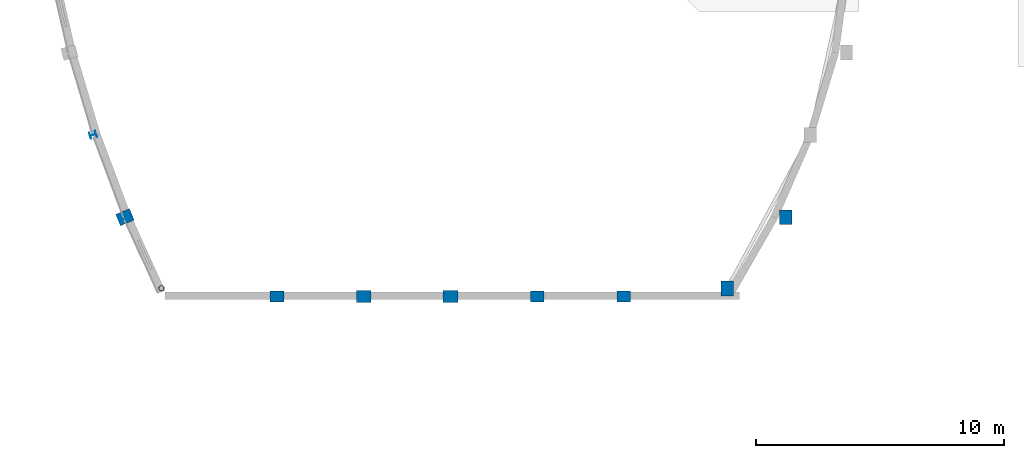
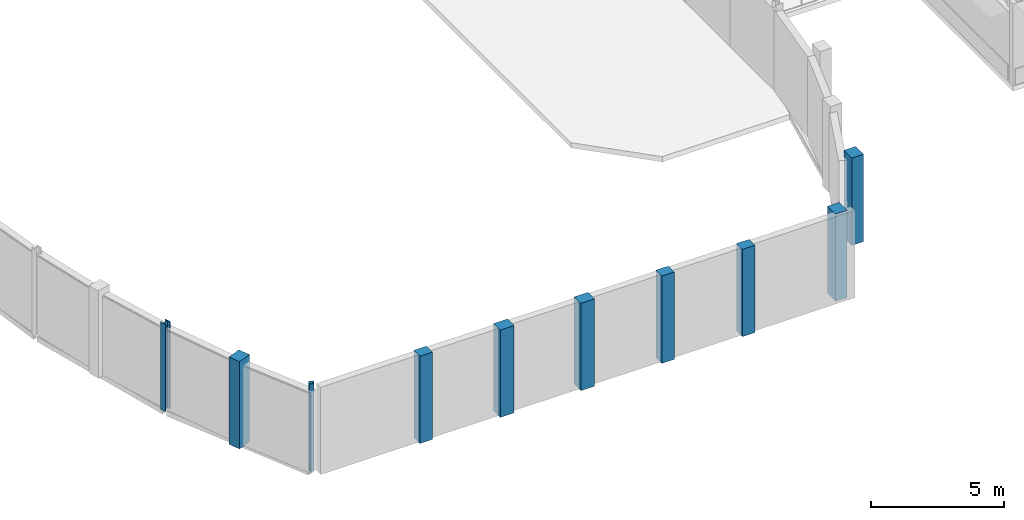
# One storey, part 1 of 89: 10 columns.
"""IFC4 building model written with IfcOpenShell, lengths in metres."""

from ifc_helpers import new_model, si_unit, direction, frame, origin, origin_2d, place, context, subcontext, project, spatial, rectangle, hollow_circle, i_section, extrude, material, material_profile, profile_set, type_object, element, save


model = new_model("IFC4")

# Units and contexts
model_context = context("Model", 3, precision=1e-05, world=origin(), true_north=direction((0.0, 1.0)))
body_context = subcontext(model_context, "Body", "Model", "MODEL_VIEW")
ifc_project = project(units=[si_unit("LENGTHUNIT", "METRE"), si_unit("AREAUNIT", "SQUARE_METRE"), si_unit("VOLUMEUNIT", "CUBIC_METRE"), si_unit("PLANEANGLEUNIT", "RADIAN"), si_unit("MASSUNIT", "GRAM", prefix="KILO")], contexts=[model_context])

# Site, building, storey
site_placement = place(None, origin())
site = spatial("IfcSite", under=ifc_project, at=site_placement, CompositionType="ELEMENT")
building_placement = place(site_placement, origin())
building = spatial("IfcBuilding", under=site, at=building_placement, Name="Kelanivale Promenade Academy", CompositionType="ELEMENT")
storey_placement = place(building_placement, frame((0.0, 0.0, 12.199951171875)))
storey = spatial("IfcBuildingStorey", under=building, at=storey_placement, Name="L03", CompositionType="ELEMENT", Elevation=12.199951171875)

# Columns
ifc_material_1 = material(Name="Concrete C40/50", Category="concrete")
ifc_material_profile_1 = material_profile(ifc_material_1, rectangle(XDim=0.449951171875, YDim=0.550048828125, at=origin_2d()), Name="RC-PIL 450x550")
ifc_profile_set_1 = profile_set([ifc_material_profile_1], Name="Concrete C40/50")
column_type_1 = type_object("IfcColumnType", Name="PL-17 RC-PIL 450x550", PredefinedType="PILASTER", material=ifc_profile_set_1)
for number, where, z_axis, x_axis, name in (
    (1, (12.52001953125, 33.1201171875, 0.0), (0.0, 0.0, 1.0), (0.0, 1.0, 0.0), "Column PL-17 at (12.5, 33.1) L03"),
    (2, (22.9990234375, 33.1201171875, 0.0), (0.0, 0.0, 1.0), (0.0, 1.0, 0.0), "Column PL-17 at (23.0, 33.1) L03"),
    (3, (26.491943359375, 33.1201171875, 0.0), (0.0, 0.0, 1.0), (0.0, 1.0, 0.0), "Column PL-17 at (26.5, 33.1) L03"),
):
    element("IfcColumn", number, at=place(storey_placement, frame(where, z_axis=z_axis, x_axis=x_axis)), inside=storey, type_object=column_type_1, Name=name, PredefinedType="PILASTER", context=body_context, shape_type="SweptSolid", body=[
        extrude(rectangle(XDim=0.449951171875, YDim=0.550048828125, at=origin_2d()), origin(), (0.0, 0.0, 1.0), 4.0),
    ])
ifc_material_profile_2 = material_profile(ifc_material_1, rectangle(XDim=0.5, YDim=0.60009765625, at=origin_2d()), Name="RC-PIL 500x600")
ifc_profile_set_2 = profile_set([ifc_material_profile_2], Name="Concrete C40/50")
column_type_2 = type_object("IfcColumnType", Name="PL-18 RC-PIL 500x600", PredefinedType="PILASTER", material=ifc_profile_set_2)
for number, where, z_axis, x_axis, name in (
    (4, (6.39306640625, 36.31396484375, 0.0), (0.0, 0.0, 1.0), (-0.382360914263, 0.92401305794, 0.0), "Column PL-18 at (6.4, 36.3) L03"),
    (5, (16.012939453125, 33.1201171875, 0.0), (0.0, 0.0, 1.0), (0.0, 1.0, 0.0), "Column PL-18 at (16.0, 33.1) L03"),
    (6, (19.506103515625, 33.1201171875, 0.0), (0.0, 0.0, 1.0), (0.0, 1.0, 0.0), "Column PL-18 at (19.5, 33.1) L03"),
    (7, (30.64990234375, 33.449951171875, 0.0), (0.0, 0.0, 1.0), (1.0, 0.0, 0.0), "Column PL-18 at (30.6, 33.5) L03"),
    (8, (33.010009765625, 36.31396484375, 0.0), (0.0, 0.0, 1.0), (1.0, 0.0, 0.0), "Column PL-18 at (33.0, 36.3) L03"),
):
    element("IfcColumn", number, at=place(storey_placement, frame(where, z_axis=z_axis, x_axis=x_axis)), inside=storey, type_object=column_type_2, Name=name, PredefinedType="PILASTER", context=body_context, shape_type="SweptSolid", body=[
        extrude(rectangle(XDim=0.5, YDim=0.60009765625, at=origin_2d()), origin(), (0.0, 0.0, 1.0), 4.0),
    ])
ifc_material_2 = material(Name="Steel S355", Category="steel")
ifc_material_profile_3 = material_profile(ifc_material_2, i_section(OverallWidth=0.25634765625, OverallDepth=0.26025390625, WebThickness=0.01025390625, FlangeThickness=0.017333984375, FilletRadius=0.0126953125, at=origin_2d()), Name="UC 254x254x89")
ifc_profile_set_3 = profile_set([ifc_material_profile_3], Name="Steel S355")
column_type_3 = type_object("IfcColumnType", Name="SC-03 UC 254x254x89", PredefinedType="COLUMN", material=ifc_profile_set_3)
column_1_placement = place(storey_placement, frame((5.111083984375, 39.62890625, 0.0), z_axis=(0.0, 0.0, 1.0), x_axis=(-0.318628456287, 0.947879690069, 0.0)))
element("IfcColumn", 9, at=column_1_placement, inside=storey, type_object=column_type_3, Name="Column SC-03 at (5.1, 39.6) L03", PredefinedType="COLUMN", context=body_context, shape_type="SweptSolid", body=[
    extrude(i_section(OverallWidth=0.25634765625, OverallDepth=0.26025390625, WebThickness=0.01025390625, FlangeThickness=0.017333984375, FilletRadius=0.0126953125, at=origin_2d()), origin(), (0.0, 0.0, 1.0), 4.0),
])
ifc_material_profile_4 = material_profile(ifc_material_2, hollow_circle(Radius=0.109619140625, WallThickness=0.010009765625, at=origin_2d()), Name="CHS 219.1x10.0")
ifc_profile_set_4 = profile_set([ifc_material_profile_4], Name="Steel S355")
column_type_4 = type_object("IfcColumnType", Name="SC-06 CHS 219.1x10.0", PredefinedType="PILASTER", material=ifc_profile_set_4)
column_2_placement = place(storey_placement, frame((7.862060546875, 33.449951171875, 0.0), z_axis=(0.0, 0.0, 1.0), x_axis=(-0.44619781311, 0.894934361602, 0.0)))
element("IfcColumn", 10, at=column_2_placement, inside=storey, type_object=column_type_4, Name="Column SC-06 at (7.9, 33.5) L03", PredefinedType="PILASTER", context=body_context, shape_type="SweptSolid", body=[
    extrude(hollow_circle(Radius=0.109619140625, WallThickness=0.010009765625, at=origin_2d()), origin(), (0.0, 0.0, 1.0), 4.0),
])

save(model, "model.ifc")
